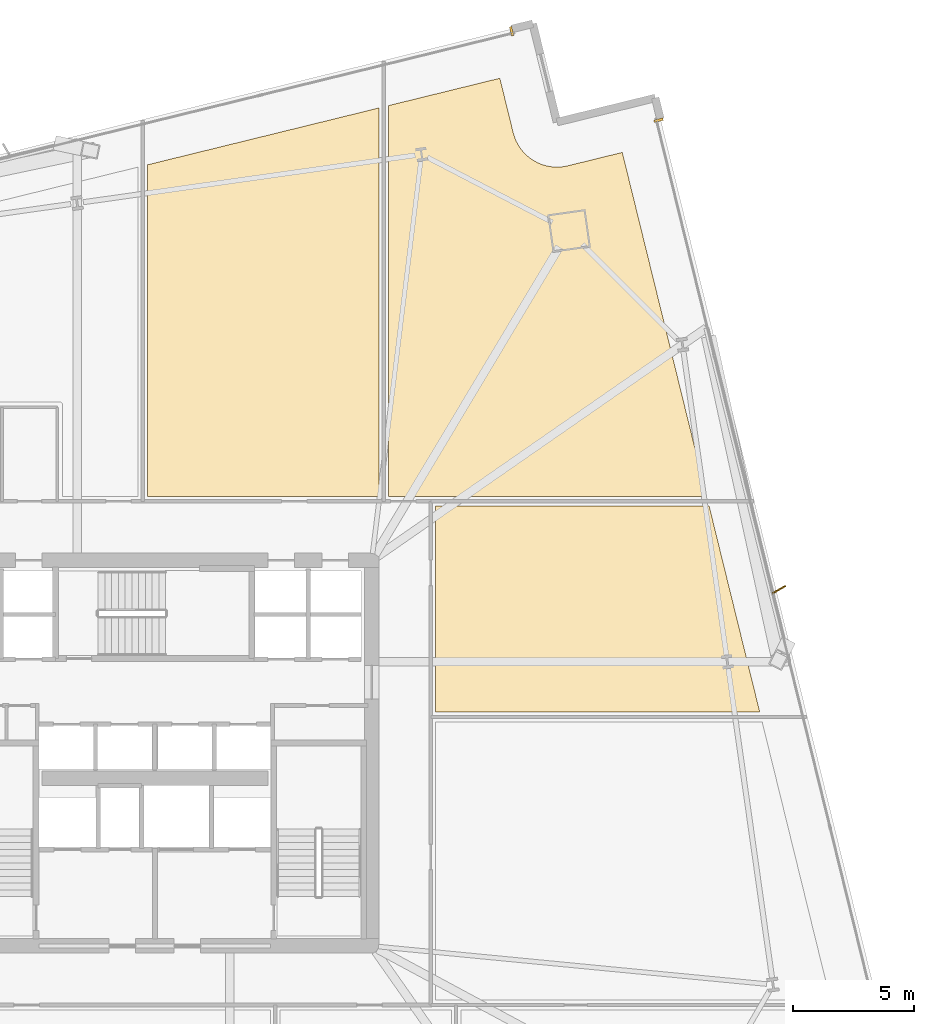
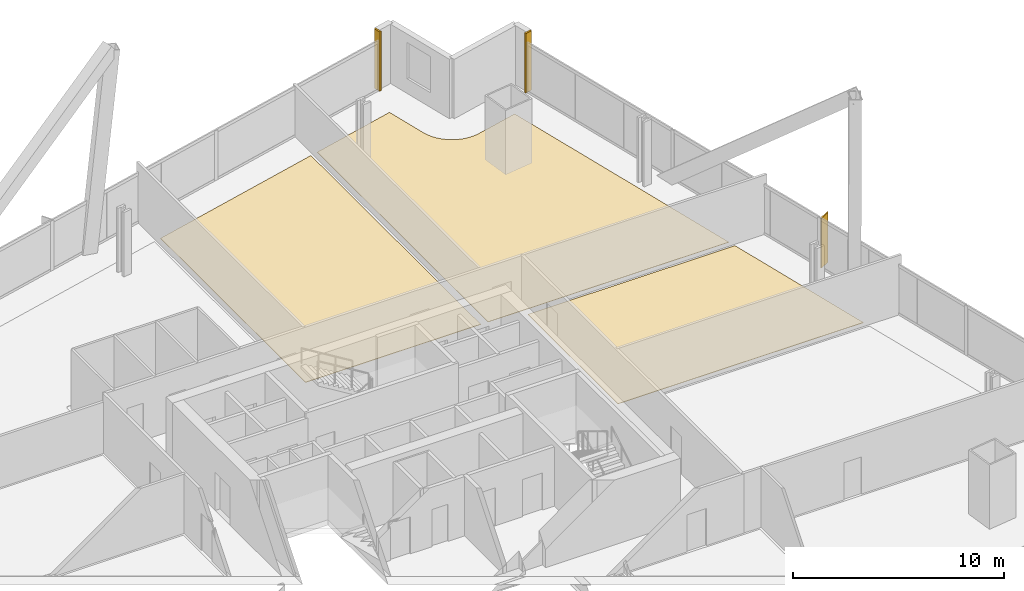
# One storey, part 32 of 32: 5 coverings, 1 shading device.
"""IFC4 building model written with IfcOpenShell, lengths in metres."""

from ifc_helpers import new_model, si_unit, direction, frame, origin, origin_2d, place, context, subcontext, project, spatial, polyline, rectangle, outline, extrude, source, transform, mapped, material, layer, layer_set, type_object, element, save


model = new_model("IFC4")

# Units and contexts
model_context = context("Model", 3, precision=1e-05, world=origin(), true_north=direction((0.0, 1.0)))
body_context = subcontext(model_context, "Body", "Model", "MODEL_VIEW")
ifc_project = project(units=[si_unit("LENGTHUNIT", "METRE"), si_unit("AREAUNIT", "SQUARE_METRE"), si_unit("VOLUMEUNIT", "CUBIC_METRE"), si_unit("PLANEANGLEUNIT", "RADIAN"), si_unit("MASSUNIT", "GRAM", prefix="KILO")], contexts=[model_context])

# Site, building, storey
site_placement = place(None, origin())
site = spatial("IfcSite", under=ifc_project, at=site_placement, CompositionType="ELEMENT")
building_placement = place(site_placement, origin())
building = spatial("IfcBuilding", under=site, at=building_placement, Name="Haldenkirk Collegiate Tower", CompositionType="ELEMENT")
storey_placement = place(building_placement, frame((0.0, 0.0, 73.949951171875)))
storey = spatial("IfcBuildingStorey", under=building, at=storey_placement, Name="L17", CompositionType="ELEMENT", Elevation=73.949951171875)

# Coverings
ifc_material_1 = material(Name="Polished collegiate terrazzo", Category="concrete")
ifc_layer_1 = layer(ifc_material_1, 0.02490234375)
ifc_layer_set_1 = layer_set([ifc_layer_1], Name="Polished collegiate terrazzo")
covering_type_1 = type_object("IfcCoveringType", Name="COV-FLOOR-TERRAZZO", PredefinedType="FLOORING", material=ifc_layer_set_1)
covering_1_placement = place(storey_placement, origin())
element("IfcCovering", 1, at=covering_1_placement, inside=storey, type_object=covering_type_1, Name="L17 academic room finish 06", PredefinedType="FLOORING", context=body_context, shape_type="SweptSolid", body=[
    extrude(outline(polyline([(45.300048828125, 52.771240234375), (45.300048828125, 36.64990234375), (35.699951171875, 36.64990234375), (35.699951171875, 50.4130859375), (45.300048828125, 52.771240234375)])), origin(), (0.0, 0.0, 1.0), 0.025146484375),
])
covering_2_placement = place(storey_placement, origin())
element("IfcCovering", 2, at=covering_2_placement, inside=storey, type_object=covering_type_1, Name="L17 academic room finish 12", PredefinedType="FLOORING", context=body_context, shape_type="SweptSolid", body=[
    extrude(outline(polyline([(61.09912109375, 27.699951171875), (47.64990234375, 27.699951171875), (47.64990234375, 36.25), (58.998779296875, 36.25), (61.09912109375, 27.699951171875)])), origin(), (0.0, 0.0, 1.0), 0.025146484375),
])
ifc_material_2 = material(Name="Engineered collegiate oak acoustic flooring", Category="wood")
ifc_layer_2 = layer(ifc_material_2, 0.02197265625)
ifc_layer_set_2 = layer_set([ifc_layer_2], Name="Engineered collegiate oak acoustic flooring")
covering_type_2 = type_object("IfcCoveringType", Name="COV-FLOOR-TIMBER", PredefinedType="FLOORING", material=ifc_layer_set_2)
covering_3_placement = place(storey_placement, origin())
element("IfcCovering", 3, at=covering_3_placement, inside=storey, type_object=covering_type_2, Name="L17 academic room finish 07", PredefinedType="FLOORING", context=body_context, shape_type="SweptSolid", body=[
    extrude(outline(polyline([(50.313720703125, 54.002685546875), (50.869384765625, 51.739990234375), (50.870849609375, 51.734130859375), (50.919921875, 51.569580078125), (50.923828125, 51.55859375), (50.989013671875, 51.399658203125), (50.993896484375, 51.388916015625), (51.07421875, 51.237060546875), (51.080078125, 51.226806640625), (51.1748046875, 51.083740234375), (51.181884765625, 51.07421875), (51.290283203125, 50.94091796875), (51.298095703125, 50.93212890625), (51.4189453125, 50.810302734375), (51.427734375, 50.80224609375), (51.56005859375, 50.692626953125), (51.5693359375, 50.685791015625), (51.711669921875, 50.589599609375), (51.7216796875, 50.58349609375), (51.872802734375, 50.501708984375), (51.88330078125, 50.496826171875), (52.041748046875, 50.430419921875), (52.052978515625, 50.42626953125), (52.217041015625, 50.37548828125), (52.228515625, 50.372802734375), (52.396728515625, 50.33837890625), (52.408447265625, 50.336669921875), (52.5791015625, 50.319091796875), (52.5908203125, 50.318359375), (52.7626953125, 50.317626953125), (52.7744140625, 50.318115234375), (52.9453125, 50.334228515625), (52.95703125, 50.3359375), (53.12548828125, 50.36865234375), (53.13134765625, 50.369873046875), (55.394287109375, 50.925537109375), (58.900634765625, 36.64990234375), (45.699951171875, 36.64990234375), (45.699951171875, 52.869384765625), (50.313720703125, 54.002685546875)])), origin(), (0.0, 0.0, 1.0), 0.02197265625),
])
ifc_material_3 = material(Name="Anodised architectural bronze aluminium", Category="aluminium")
ifc_layer_3 = layer(ifc_material_3, 0.06005859375)
ifc_layer_set_3 = layer_set([ifc_layer_3], Name="Anodised architectural bronze aluminium")
covering_type_3 = type_object("IfcCoveringType", Name="COV-CLAD-BRONZE-60", PredefinedType="CLADDING", material=ifc_layer_set_3)
shared_shape_1 = source(origin(), body_context, "Body", "SweptSolid", [
    extrude(rectangle(XDim=0.10009765625, YDim=0.3798828125, at=origin_2d()), origin(), (0.0, 0.0, 1.0), 3.43994140625),
])
for number, where, z_axis, x_axis, name in (
    (4, (56.898681640625, 52.26318359375, 0.0), (0.0, 0.0, 1.0), (0.238533457579, -0.97113427991, 0.0), "L17 recessed curtain-wall bronze jamb closure EJL"),
    (5, (50.802001953125, 55.955322265625, 0.0), (0.0, 0.0, 1.0), (0.97113427991, 0.238533457579, 0.0), "L17 recessed curtain-wall bronze jamb closure NJR"),
):
    element("IfcCovering", number, at=place(storey_placement, frame(where, z_axis=z_axis, x_axis=x_axis)), inside=storey, type_object=covering_type_3, Name=name, PredefinedType="CLADDING", context=body_context, shape_type="MappedRepresentation", body=[
        mapped(shared_shape_1, transform((0.0, 0.0, 0.0), x_axis=(1.0, 0.0, 0.0), y_axis=(0.0, 1.0, 0.0), z_axis=(0.0, 0.0, 1.0), scale=1.0)),
    ])

# Shading device
ifc_layer_4 = layer(ifc_material_3, 0.06494140625)
ifc_layer_set_4 = layer_set([ifc_layer_4], Name="Anodised architectural bronze aluminium")
shading_device_type = type_object("IfcShadingDeviceType", Name="SHD-FIN-BRONZE-620", PredefinedType="USERDEFINED", material=ifc_layer_set_4)
shared_shape_2 = source(origin(), body_context, "Body", "SweptSolid", [
    extrude(rectangle(XDim=0.6201171875, YDim=0.06494140625, at=origin_2d()), origin(), (0.0, 0.0, 1.0), 2.89111328125),
])
shading_device_placement = place(storey_placement, frame((61.89404296875, 32.784912109375, 0.0), z_axis=(0.0, 0.0, 1.0), x_axis=(0.867765453369, 0.496973961028, 0.0)))
element("IfcShadingDevice", 6, at=shading_device_placement, inside=storey, type_object=shading_device_type, Name="L17 folded bronze solar fin 1", ObjectType="FIN", PredefinedType="USERDEFINED", context=body_context, shape_type="MappedRepresentation", body=[
    mapped(shared_shape_2, transform((0.0, 0.0, 0.0), x_axis=(1.0, 0.0, 0.0), y_axis=(0.0, 1.0, 0.0), z_axis=(0.0, 0.0, 1.0), scale=1.0)),
])

save(model, "model.ifc")
